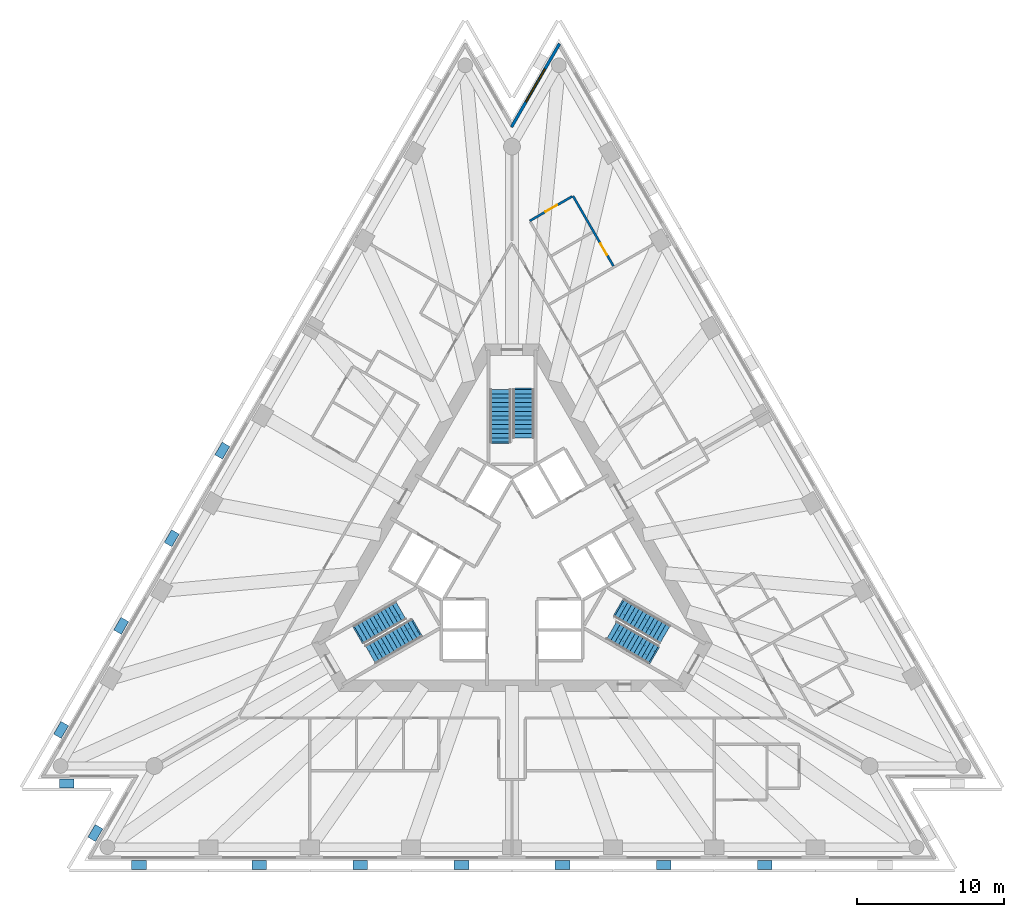
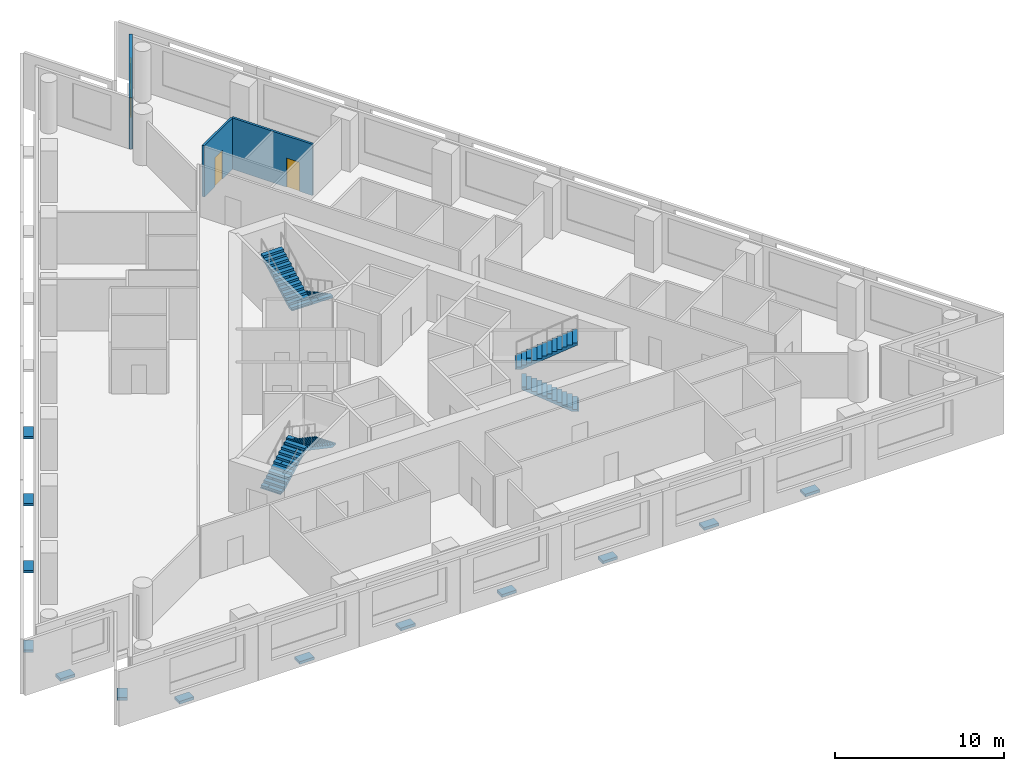
# One storey, part 7 of 10: 13 discrete accessories, 6 stair flights, 3 walls, 2 doors, 1 window, 3 openings, 3 elements without a shape of their own.
"""IFC4 building model written with IfcOpenShell, lengths in metres."""

from ifc_helpers import new_model, si_unit, direction, frame, frame_2d, origin, origin_2d, place, context, subcontext, project, spatial, polyline, rectangle, outline, extrude, material, layer, layer_set, layer_usage, type_object, element, fill, aggregate, save


model = new_model("IFC4")

# Units and contexts
model_context = context("Model", 3, precision=1e-05, world=origin(), true_north=direction((0.0, 1.0)))
body_context = subcontext(model_context, "Body", "Model", "MODEL_VIEW")
ifc_project = project(units=[si_unit("LENGTHUNIT", "METRE"), si_unit("AREAUNIT", "SQUARE_METRE"), si_unit("VOLUMEUNIT", "CUBIC_METRE"), si_unit("PLANEANGLEUNIT", "RADIAN"), si_unit("MASSUNIT", "GRAM", prefix="KILO")], contexts=[model_context])

# Site, building, storey
site_placement = place(None, origin())
site = spatial("IfcSite", under=ifc_project, at=site_placement, CompositionType="ELEMENT")
building_placement = place(site_placement, origin())
building = spatial("IfcBuilding", under=site, at=building_placement, Name="Triada Interchange Tower", CompositionType="ELEMENT")
storey_placement = place(building_placement, frame((0.0, 0.0, 120.300048828125)))
storey = spatial("IfcBuildingStorey", under=building, at=storey_placement, Name="L27", CompositionType="ELEMENT", Elevation=120.300048828125)

# Wall, opening, window
ifc_material_1 = material(Name="Cement board")
ifc_layer_1 = layer(ifc_material_1, 0.02001953125, Name="Cement board cladding")
ifc_material_2 = material(Name="Sheathing board")
ifc_layer_2 = layer(ifc_material_2, 0.014892578125, Name="Sheathing board")
ifc_material_3 = material(Name="Mineral wool")
ifc_layer_3 = layer(ifc_material_3, 0.14990234375, Name="Mineral wool between steel studs")
ifc_material_4 = material(Name="Gypsum board")
ifc_layer_4 = layer(ifc_material_4, 0.014892578125, Name="Plasterboard lining")
ifc_layer_set_1 = layer_set([ifc_layer_1, ifc_layer_2, ifc_layer_3, ifc_layer_4], Name="External wall 200")
ifc_layer_usage = layer_usage(ifc_layer_set_1, "AXIS2", "POSITIVE", -0.10009765625)
wall_type_1 = type_object("IfcWallType", Name="External wall 200", PredefinedType="ELEMENTEDWALL", material=ifc_layer_set_1)
wall_1_placement = place(storey_placement, frame((3.243896484375, 35.18505859375, 0.0), z_axis=(0.0, 0.0, 1.0), x_axis=(-0.499862072928, -0.866105021373, 0.0)))
wall_1 = element("IfcWall", 1, at=wall_1_placement, inside=storey, type_object=wall_type_1, material=ifc_layer_usage, Name="External wall L27 N-1", PredefinedType="ELEMENTEDWALL", context=body_context, shape_type="SweptSolid", body=[
    extrude(rectangle(XDim=6.559326171875, YDim=0.199951171875, at=frame_2d((3.27978515625, 0.0))), origin(), (0.0, 0.0, 1.0), 3.699951171875),
])
opening_1_placement = place(wall_1_placement, frame((1.989990234375, 0.0, 0.89990234375)))
opening_1 = element("IfcOpeningElement", 2, at=opening_1_placement, cuts=wall_1, Name="Opening WB29", PredefinedType="OPENING", context=body_context, shape_type="SweptSolid", body=[
    extrude(rectangle(XDim=2.60009765625, YDim=2.5, at=frame_2d((1.300048828125, 1.25))), frame((0.0, 0.10986328125, 0.0), z_axis=(0.0, -1.0, 0.0), x_axis=(1.0, 0.0, 0.0)), (0.0, 0.0, 1.0), 0.219970703125),
])
ifc_material_5 = material(Name="Double glazed aluminium window", Category="aluminium")
window_type = type_object("IfcWindowType", Name="Ribbon window B pocket", PartitioningType="SINGLE_PANEL", PredefinedType="WINDOW", material=ifc_material_5)
window_placement = place(opening_1_placement, origin())
window = element("IfcWindow", 3, at=window_placement, inside=storey, type_object=window_type, Name="Window L27 N-1 1", OverallHeight=2.5, OverallWidth=2.60009765625, PartitioningType="SINGLE_PANEL", PredefinedType="WINDOW", context=body_context, shape_type="SweptSolid", body=[
    extrude(rectangle(XDim=2.60009765625, YDim=2.5, at=frame_2d((1.300048828125, 1.25))), frame((0.0, 0.030029296875, 0.0), z_axis=(0.0, -1.0, 0.0), x_axis=(1.0, 0.0, 0.0)), (0.0, 0.0, 1.0), 0.06005859375),
])
fill(opening_1, window)

# Wall, opening, door
ifc_material_6 = material(Name="Gypsum board partition")
ifc_layer_5 = layer(ifc_material_6, 0.14990234375)
ifc_layer_set_2 = layer_set([ifc_layer_5], Name="PARTITION 150 EI 90")
wall_type_2 = type_object("IfcWallType", Name="PARTITION 150 EI 90", PredefinedType="PARTITIONING", material=ifc_layer_set_2)
wall_2_placement = place(storey_placement, frame((4.157958984375, 24.798095703125, 0.0), z_axis=(0.0, 0.0, 1.0), x_axis=(0.5000309746, -0.866007519852, 0.0)))
wall_2 = element("IfcWall", 4, at=wall_2_placement, inside=storey, type_object=wall_type_2, Name="Wall L26 47", PredefinedType="PARTITIONING", context=body_context, shape_type="SweptSolid", body=[
    extrude(rectangle(XDim=5.525634765625, YDim=0.14990234375, at=frame_2d((2.7626953125, 0.0))), origin(), (0.0, 0.0, 1.0), 3.699951171875),
])
opening_2_placement = place(wall_2_placement, frame((3.75, 0.0, 0.0)))
opening_2 = element("IfcOpeningElement", 5, at=opening_2_placement, cuts=wall_2, Name="Opening D26-32", PredefinedType="OPENING", context=body_context, shape_type="SweptSolid", body=[
    extrude(rectangle(XDim=0.89990234375, YDim=2.10009765625, at=frame_2d((0.449951171875, 1.050048828125))), frame((0.0, 0.0849609375, 0.0), z_axis=(0.0, -1.0, 0.0), x_axis=(1.0, 0.0, 0.0)), (0.0, 0.0, 1.0), 0.169921875),
])
ifc_material_7 = material(Name="Steel S235 door leaf", Category="steel")
door_type = type_object("IfcDoorType", Name="ROOM DOOR 900 EI2 45-C5S200", OperationType="NOTDEFINED", PredefinedType="DOOR", material=ifc_material_7)
door_1_placement = place(opening_2_placement, origin())
door_1 = element("IfcDoor", 6, at=door_1_placement, inside=storey, type_object=door_type, Name="Door D26-32 L27", OperationType="SINGLE_SWING_LEFT", OverallHeight=2.10009765625, OverallWidth=0.89990234375, PredefinedType="DOOR", context=body_context, shape_type="SweptSolid", body=[
    extrude(rectangle(XDim=0.89990234375, YDim=2.10009765625, at=frame_2d((0.449951171875, 1.050048828125))), frame((0.0, 0.02490234375, 0.0), z_axis=(0.0, -1.0, 0.0), x_axis=(1.0, 0.0, 0.0)), (0.0, 0.0, 1.0), 0.050048828125),
])
fill(opening_2, door_1)

wall_3_placement = place(storey_placement, frame((1.214111328125, 23.097900390625, 0.0), z_axis=(0.0, 0.0, 1.0), x_axis=(0.866029041019, 0.499993700073, 0.0)))
wall_3 = element("IfcWall", 7, at=wall_3_placement, inside=storey, type_object=wall_type_2, Name="Wall L26 48", PredefinedType="PARTITIONING", context=body_context, shape_type="SweptSolid", body=[
    extrude(rectangle(XDim=3.32421875, YDim=0.14990234375, at=frame_2d((1.662109375, 0.0))), origin(), (0.0, 0.0, 1.0), 3.699951171875),
])
opening_3_placement = place(wall_3_placement, frame((1.25, 0.0, 0.0)))
opening_3 = element("IfcOpeningElement", 8, at=opening_3_placement, cuts=wall_3, Name="Opening D26-33", PredefinedType="OPENING", context=body_context, shape_type="SweptSolid", body=[
    extrude(rectangle(XDim=0.89990234375, YDim=2.10009765625, at=frame_2d((0.449951171875, 1.050048828125))), frame((0.0, 0.0849609375, 0.0), z_axis=(0.0, -1.0, 0.0), x_axis=(1.0, 0.0, 0.0)), (0.0, 0.0, 1.0), 0.169921875),
])
door_2_placement = place(opening_3_placement, origin())
door_2 = element("IfcDoor", 9, at=door_2_placement, inside=storey, type_object=door_type, Name="Door D26-33 L27", OperationType="SINGLE_SWING_RIGHT", OverallHeight=2.10009765625, OverallWidth=0.89990234375, PredefinedType="DOOR", context=body_context, shape_type="SweptSolid", body=[
    extrude(rectangle(XDim=0.89990234375, YDim=2.10009765625, at=frame_2d((0.449951171875, 1.050048828125))), frame((0.0, 0.02490234375, 0.0), z_axis=(0.0, -1.0, 0.0), x_axis=(1.0, 0.0, 0.0)), (0.0, 0.0, 1.0), 0.050048828125),
])
fill(opening_3, door_2)

# Stair, stair flights
ifc_material_8 = material(Name="Concrete C35/45", Category="concrete")
stair_type = type_object("IfcStairType", Name="HALF TURN STAIR 1400", PredefinedType="HALF_TURN_STAIR", material=ifc_material_8)
stair_1_placement = place(storey_placement, origin())
stair_1 = element("IfcStair", 10, at=stair_1_placement, inside=storey, type_object=stair_type, Name="Exit stair S26-1", PredefinedType="HALF_TURN_STAIR")
stair_flight_type = type_object("IfcStairFlightType", Name="STRAIGHT STAIR FLIGHT 1400", PredefinedType="STRAIGHT", material=ifc_material_8)
stair_flight_1_placement = place(storey_placement, frame((0.800048828125, 11.60009765625, 0.0), z_axis=(0.0, 0.0, 1.0), x_axis=(0.0, -1.0, 0.0)))
stair_flight_1 = element("IfcStairFlight", 11, at=stair_flight_1_placement, type_object=stair_flight_type, Name="S26-1 flight 1", NumberOfRisers=12, NumberOfTreads=11, PredefinedType="STRAIGHT", RiserHeight=0.16, TreadLength=0.3, context=body_context, shape_type="SweptSolid", body=[
    extrude(outline(polyline([(-0.10009765625, 0.0), (-0.10009765625, 0.02001953125), (0.0, 0.02001953125), (0.0, 0.159912109375), (0.300048828125, 0.159912109375), (0.300048828125, 0.320068359375), (0.60009765625, 0.320068359375), (0.60009765625, 0.47998046875), (0.89990234375, 0.47998046875), (0.89990234375, 0.639892578125), (1.199951171875, 0.639892578125), (1.199951171875, 0.800048828125), (1.5, 0.800048828125), (1.5, 0.9599609375), (1.800048828125, 0.9599609375), (1.800048828125, 1.1201171875), (2.10009765625, 1.1201171875), (2.10009765625, 1.280029296875), (2.39990234375, 1.280029296875), (2.39990234375, 1.43994140625), (2.699951171875, 1.43994140625), (2.699951171875, 1.60009765625), (3.0, 1.60009765625), (3.0, 1.760009765625), (3.300048828125, 1.760009765625), (3.303955078125, 1.760009765625), (3.303955078125, 1.919921875), (3.303955078125, 1.590087890625), (0.318603515625, 0.0), (-0.10009765625, 0.0)])), frame((0.0, 0.699951171875, 0.0), z_axis=(0.0, -1.0, 0.0), x_axis=(1.0, 0.0, 0.0)), (0.0, 0.0, 1.0), 0.46533203125),
    extrude(outline(polyline([(-0.10009765625, 0.0), (-0.10009765625, 0.02001953125), (0.0, 0.02001953125), (0.0, 0.159912109375), (0.300048828125, 0.159912109375), (0.300048828125, 0.320068359375), (0.60009765625, 0.320068359375), (0.60009765625, 0.47998046875), (0.89990234375, 0.47998046875), (0.89990234375, 0.639892578125), (1.199951171875, 0.639892578125), (1.199951171875, 0.800048828125), (1.5, 0.800048828125), (1.5, 0.9599609375), (1.800048828125, 0.9599609375), (1.800048828125, 1.1201171875), (2.10009765625, 1.1201171875), (2.10009765625, 1.280029296875), (2.39990234375, 1.280029296875), (2.39990234375, 1.43994140625), (2.699951171875, 1.43994140625), (2.699951171875, 1.60009765625), (3.0, 1.60009765625), (3.0, 1.760009765625), (3.300048828125, 1.760009765625), (3.303955078125, 1.760009765625), (3.303955078125, 1.919921875), (3.303955078125, 1.590087890625), (0.318603515625, 0.0), (-0.10009765625, 0.0)])), frame((0.0, 0.232666015625, 0.0), z_axis=(0.0, -1.0, 0.0), x_axis=(1.0, 0.0, 0.0)), (0.0, 0.0, 1.0), 0.46533203125),
    extrude(outline(polyline([(-0.10009765625, 0.0), (-0.10009765625, 0.02001953125), (0.0, 0.02001953125), (0.0, 0.159912109375), (0.300048828125, 0.159912109375), (0.300048828125, 0.320068359375), (0.60009765625, 0.320068359375), (0.60009765625, 0.47998046875), (0.89990234375, 0.47998046875), (0.89990234375, 0.639892578125), (1.199951171875, 0.639892578125), (1.199951171875, 0.800048828125), (1.5, 0.800048828125), (1.5, 0.9599609375), (1.800048828125, 0.9599609375), (1.800048828125, 1.1201171875), (2.10009765625, 1.1201171875), (2.10009765625, 1.280029296875), (2.39990234375, 1.280029296875), (2.39990234375, 1.43994140625), (2.699951171875, 1.43994140625), (2.699951171875, 1.60009765625), (3.0, 1.60009765625), (3.0, 1.760009765625), (3.300048828125, 1.760009765625), (3.303955078125, 1.760009765625), (3.303955078125, 1.919921875), (3.303955078125, 1.590087890625), (0.318603515625, 0.0), (-0.10009765625, 0.0)])), frame((0.0, -0.234619140625, 0.0), z_axis=(0.0, -1.0, 0.0), x_axis=(1.0, 0.0, 0.0)), (0.0, 0.0, 1.0), 0.46533203125),
])
stair_flight_2_placement = place(storey_placement, frame((-0.800048828125, 8.0, 1.919921875), z_axis=(0.0, 0.0, 1.0), x_axis=(0.0, 1.0, 0.0)))
stair_flight_2 = element("IfcStairFlight", 12, at=stair_flight_2_placement, type_object=stair_flight_type, Name="S26-1 flight 2", NumberOfRisers=13, NumberOfTreads=12, PredefinedType="STRAIGHT", RiserHeight=0.16, TreadLength=0.3, context=body_context, shape_type="SweptSolid", body=[
    extrude(outline(polyline([(-0.10009765625, 0.0), (-0.10009765625, 0.02001953125), (0.0, 0.02001953125), (0.0, 0.159912109375), (0.300048828125, 0.159912109375), (0.300048828125, 0.320068359375), (0.60009765625, 0.320068359375), (0.60009765625, 0.47998046875), (0.89990234375, 0.47998046875), (0.89990234375, 0.639892578125), (1.199951171875, 0.639892578125), (1.199951171875, 0.800048828125), (1.5, 0.800048828125), (1.5, 0.9599609375), (1.800048828125, 0.9599609375), (1.800048828125, 1.1201171875), (2.10009765625, 1.1201171875), (2.10009765625, 1.280029296875), (2.39990234375, 1.280029296875), (2.39990234375, 1.43994140625), (2.699951171875, 1.43994140625), (2.699951171875, 1.60009765625), (3.0, 1.60009765625), (3.0, 1.760009765625), (3.300048828125, 1.760009765625), (3.300048828125, 1.919921875), (3.60009765625, 1.919921875), (3.60400390625, 1.919921875), (3.60400390625, 2.080078125), (3.60400390625, 1.75), (0.318603515625, 0.0), (-0.10009765625, 0.0)])), frame((0.0, 0.699951171875, 0.0), z_axis=(0.0, -1.0, 0.0), x_axis=(1.0, 0.0, 0.0)), (0.0, 0.0, 1.0), 0.46533203125),
    extrude(outline(polyline([(-0.10009765625, 0.0), (-0.10009765625, 0.02001953125), (0.0, 0.02001953125), (0.0, 0.159912109375), (0.300048828125, 0.159912109375), (0.300048828125, 0.320068359375), (0.60009765625, 0.320068359375), (0.60009765625, 0.47998046875), (0.89990234375, 0.47998046875), (0.89990234375, 0.639892578125), (1.199951171875, 0.639892578125), (1.199951171875, 0.800048828125), (1.5, 0.800048828125), (1.5, 0.9599609375), (1.800048828125, 0.9599609375), (1.800048828125, 1.1201171875), (2.10009765625, 1.1201171875), (2.10009765625, 1.280029296875), (2.39990234375, 1.280029296875), (2.39990234375, 1.43994140625), (2.699951171875, 1.43994140625), (2.699951171875, 1.60009765625), (3.0, 1.60009765625), (3.0, 1.760009765625), (3.300048828125, 1.760009765625), (3.300048828125, 1.919921875), (3.60009765625, 1.919921875), (3.60400390625, 1.919921875), (3.60400390625, 2.080078125), (3.60400390625, 1.75), (0.318603515625, 0.0), (-0.10009765625, 0.0)])), frame((0.0, 0.232666015625, 0.0), z_axis=(0.0, -1.0, 0.0), x_axis=(1.0, 0.0, 0.0)), (0.0, 0.0, 1.0), 0.46533203125),
    extrude(outline(polyline([(-0.10009765625, 0.0), (-0.10009765625, 0.02001953125), (0.0, 0.02001953125), (0.0, 0.159912109375), (0.300048828125, 0.159912109375), (0.300048828125, 0.320068359375), (0.60009765625, 0.320068359375), (0.60009765625, 0.47998046875), (0.89990234375, 0.47998046875), (0.89990234375, 0.639892578125), (1.199951171875, 0.639892578125), (1.199951171875, 0.800048828125), (1.5, 0.800048828125), (1.5, 0.9599609375), (1.800048828125, 0.9599609375), (1.800048828125, 1.1201171875), (2.10009765625, 1.1201171875), (2.10009765625, 1.280029296875), (2.39990234375, 1.280029296875), (2.39990234375, 1.43994140625), (2.699951171875, 1.43994140625), (2.699951171875, 1.60009765625), (3.0, 1.60009765625), (3.0, 1.760009765625), (3.300048828125, 1.760009765625), (3.300048828125, 1.919921875), (3.60009765625, 1.919921875), (3.60400390625, 1.919921875), (3.60400390625, 2.080078125), (3.60400390625, 1.75), (0.318603515625, 0.0), (-0.10009765625, 0.0)])), frame((0.0, -0.234619140625, 0.0), z_axis=(0.0, -1.0, 0.0), x_axis=(1.0, 0.0, 0.0)), (0.0, 0.0, 1.0), 0.46533203125),
])
aggregate(stair_1, [stair_flight_1, stair_flight_2])

stair_2_placement = place(storey_placement, origin())
stair_2 = element("IfcStair", 13, at=stair_2_placement, inside=storey, type_object=stair_type, Name="Exit stair S26-2", PredefinedType="HALF_TURN_STAIR")
stair_flight_3_placement = place(storey_placement, frame((-10.446044921875, -5.10693359375, 0.0), z_axis=(0.0, 0.0, 1.0), x_axis=(0.866025403784, 0.5, 0.0)))
stair_flight_3 = element("IfcStairFlight", 14, at=stair_flight_3_placement, type_object=stair_flight_type, Name="S26-2 flight 1", NumberOfRisers=12, NumberOfTreads=11, PredefinedType="STRAIGHT", RiserHeight=0.16, TreadLength=0.3, context=body_context, shape_type="SweptSolid", body=[
    extrude(outline(polyline([(-0.10009765625, 0.0), (-0.10009765625, 0.02001953125), (0.0, 0.02001953125), (0.0, 0.159912109375), (0.300048828125, 0.159912109375), (0.300048828125, 0.320068359375), (0.60009765625, 0.320068359375), (0.60009765625, 0.47998046875), (0.89990234375, 0.47998046875), (0.89990234375, 0.639892578125), (1.199951171875, 0.639892578125), (1.199951171875, 0.800048828125), (1.5, 0.800048828125), (1.5, 0.9599609375), (1.800048828125, 0.9599609375), (1.800048828125, 1.1201171875), (2.10009765625, 1.1201171875), (2.10009765625, 1.280029296875), (2.39990234375, 1.280029296875), (2.39990234375, 1.43994140625), (2.699951171875, 1.43994140625), (2.699951171875, 1.60009765625), (3.0, 1.60009765625), (3.0, 1.760009765625), (3.300048828125, 1.760009765625), (3.303955078125, 1.760009765625), (3.303955078125, 1.919921875), (3.303955078125, 1.590087890625), (0.318603515625, 0.0), (-0.10009765625, 0.0)])), frame((0.0, 0.699951171875, 0.0), z_axis=(0.0, -1.0, 0.0), x_axis=(1.0, 0.0, 0.0)), (0.0, 0.0, 1.0), 0.46533203125),
    extrude(outline(polyline([(-0.10009765625, 0.0), (-0.10009765625, 0.02001953125), (0.0, 0.02001953125), (0.0, 0.159912109375), (0.300048828125, 0.159912109375), (0.300048828125, 0.320068359375), (0.60009765625, 0.320068359375), (0.60009765625, 0.47998046875), (0.89990234375, 0.47998046875), (0.89990234375, 0.639892578125), (1.199951171875, 0.639892578125), (1.199951171875, 0.800048828125), (1.5, 0.800048828125), (1.5, 0.9599609375), (1.800048828125, 0.9599609375), (1.800048828125, 1.1201171875), (2.10009765625, 1.1201171875), (2.10009765625, 1.280029296875), (2.39990234375, 1.280029296875), (2.39990234375, 1.43994140625), (2.699951171875, 1.43994140625), (2.699951171875, 1.60009765625), (3.0, 1.60009765625), (3.0, 1.760009765625), (3.300048828125, 1.760009765625), (3.303955078125, 1.760009765625), (3.303955078125, 1.919921875), (3.303955078125, 1.590087890625), (0.318603515625, 0.0), (-0.10009765625, 0.0)])), frame((0.0, 0.232666015625, 0.0), z_axis=(0.0, -1.0, 0.0), x_axis=(1.0, 0.0, 0.0)), (0.0, 0.0, 1.0), 0.46533203125),
    extrude(outline(polyline([(-0.10009765625, 0.0), (-0.10009765625, 0.02001953125), (0.0, 0.02001953125), (0.0, 0.159912109375), (0.300048828125, 0.159912109375), (0.300048828125, 0.320068359375), (0.60009765625, 0.320068359375), (0.60009765625, 0.47998046875), (0.89990234375, 0.47998046875), (0.89990234375, 0.639892578125), (1.199951171875, 0.639892578125), (1.199951171875, 0.800048828125), (1.5, 0.800048828125), (1.5, 0.9599609375), (1.800048828125, 0.9599609375), (1.800048828125, 1.1201171875), (2.10009765625, 1.1201171875), (2.10009765625, 1.280029296875), (2.39990234375, 1.280029296875), (2.39990234375, 1.43994140625), (2.699951171875, 1.43994140625), (2.699951171875, 1.60009765625), (3.0, 1.60009765625), (3.0, 1.760009765625), (3.300048828125, 1.760009765625), (3.303955078125, 1.760009765625), (3.303955078125, 1.919921875), (3.303955078125, 1.590087890625), (0.318603515625, 0.0), (-0.10009765625, 0.0)])), frame((0.0, -0.234619140625, 0.0), z_axis=(0.0, -1.0, 0.0), x_axis=(1.0, 0.0, 0.0)), (0.0, 0.0, 1.0), 0.46533203125),
])
stair_flight_4_placement = place(storey_placement, frame((-6.528076171875, -4.693115234375, 1.919921875), z_axis=(0.0, 0.0, 1.0), x_axis=(-0.866025403784, -0.5, 0.0)))
stair_flight_4 = element("IfcStairFlight", 15, at=stair_flight_4_placement, type_object=stair_flight_type, Name="S26-2 flight 2", NumberOfRisers=13, NumberOfTreads=12, PredefinedType="STRAIGHT", RiserHeight=0.16, TreadLength=0.3, context=body_context, shape_type="SweptSolid", body=[
    extrude(outline(polyline([(-0.10009765625, 0.0), (-0.10009765625, 0.02001953125), (0.0, 0.02001953125), (0.0, 0.159912109375), (0.300048828125, 0.159912109375), (0.300048828125, 0.320068359375), (0.60009765625, 0.320068359375), (0.60009765625, 0.47998046875), (0.89990234375, 0.47998046875), (0.89990234375, 0.639892578125), (1.199951171875, 0.639892578125), (1.199951171875, 0.800048828125), (1.5, 0.800048828125), (1.5, 0.9599609375), (1.800048828125, 0.9599609375), (1.800048828125, 1.1201171875), (2.10009765625, 1.1201171875), (2.10009765625, 1.280029296875), (2.39990234375, 1.280029296875), (2.39990234375, 1.43994140625), (2.699951171875, 1.43994140625), (2.699951171875, 1.60009765625), (3.0, 1.60009765625), (3.0, 1.760009765625), (3.300048828125, 1.760009765625), (3.300048828125, 1.919921875), (3.60009765625, 1.919921875), (3.60400390625, 1.919921875), (3.60400390625, 2.080078125), (3.60400390625, 1.75), (0.318603515625, 0.0), (-0.10009765625, 0.0)])), frame((0.0, 0.699951171875, 0.0), z_axis=(0.0, -1.0, 0.0), x_axis=(1.0, 0.0, 0.0)), (0.0, 0.0, 1.0), 0.46533203125),
    extrude(outline(polyline([(-0.10009765625, 0.0), (-0.10009765625, 0.02001953125), (0.0, 0.02001953125), (0.0, 0.159912109375), (0.300048828125, 0.159912109375), (0.300048828125, 0.320068359375), (0.60009765625, 0.320068359375), (0.60009765625, 0.47998046875), (0.89990234375, 0.47998046875), (0.89990234375, 0.639892578125), (1.199951171875, 0.639892578125), (1.199951171875, 0.800048828125), (1.5, 0.800048828125), (1.5, 0.9599609375), (1.800048828125, 0.9599609375), (1.800048828125, 1.1201171875), (2.10009765625, 1.1201171875), (2.10009765625, 1.280029296875), (2.39990234375, 1.280029296875), (2.39990234375, 1.43994140625), (2.699951171875, 1.43994140625), (2.699951171875, 1.60009765625), (3.0, 1.60009765625), (3.0, 1.760009765625), (3.300048828125, 1.760009765625), (3.300048828125, 1.919921875), (3.60009765625, 1.919921875), (3.60400390625, 1.919921875), (3.60400390625, 2.080078125), (3.60400390625, 1.75), (0.318603515625, 0.0), (-0.10009765625, 0.0)])), frame((0.0, 0.232666015625, 0.0), z_axis=(0.0, -1.0, 0.0), x_axis=(1.0, 0.0, 0.0)), (0.0, 0.0, 1.0), 0.46533203125),
    extrude(outline(polyline([(-0.10009765625, 0.0), (-0.10009765625, 0.02001953125), (0.0, 0.02001953125), (0.0, 0.159912109375), (0.300048828125, 0.159912109375), (0.300048828125, 0.320068359375), (0.60009765625, 0.320068359375), (0.60009765625, 0.47998046875), (0.89990234375, 0.47998046875), (0.89990234375, 0.639892578125), (1.199951171875, 0.639892578125), (1.199951171875, 0.800048828125), (1.5, 0.800048828125), (1.5, 0.9599609375), (1.800048828125, 0.9599609375), (1.800048828125, 1.1201171875), (2.10009765625, 1.1201171875), (2.10009765625, 1.280029296875), (2.39990234375, 1.280029296875), (2.39990234375, 1.43994140625), (2.699951171875, 1.43994140625), (2.699951171875, 1.60009765625), (3.0, 1.60009765625), (3.0, 1.760009765625), (3.300048828125, 1.760009765625), (3.300048828125, 1.919921875), (3.60009765625, 1.919921875), (3.60400390625, 1.919921875), (3.60400390625, 2.080078125), (3.60400390625, 1.75), (0.318603515625, 0.0), (-0.10009765625, 0.0)])), frame((0.0, -0.234619140625, 0.0), z_axis=(0.0, -1.0, 0.0), x_axis=(1.0, 0.0, 0.0)), (0.0, 0.0, 1.0), 0.46533203125),
])
aggregate(stair_2, [stair_flight_3, stair_flight_4])

stair_3_placement = place(storey_placement, origin())
stair_3 = element("IfcStair", 16, at=stair_3_placement, inside=storey, type_object=stair_type, Name="Exit stair S26-3", PredefinedType="HALF_TURN_STAIR")
stair_flight_5_placement = place(storey_placement, frame((9.64599609375, -6.492919921875, 0.0), z_axis=(0.0, 0.0, 1.0), x_axis=(-0.866025403784, 0.5, 0.0)))
stair_flight_5 = element("IfcStairFlight", 17, at=stair_flight_5_placement, type_object=stair_flight_type, Name="S26-3 flight 1", NumberOfRisers=12, NumberOfTreads=11, PredefinedType="STRAIGHT", RiserHeight=0.16, TreadLength=0.3, context=body_context, shape_type="SweptSolid", body=[
    extrude(outline(polyline([(-0.10009765625, 0.0), (-0.10009765625, 0.02001953125), (0.0, 0.02001953125), (0.0, 0.159912109375), (0.300048828125, 0.159912109375), (0.300048828125, 0.320068359375), (0.60009765625, 0.320068359375), (0.60009765625, 0.47998046875), (0.89990234375, 0.47998046875), (0.89990234375, 0.639892578125), (1.199951171875, 0.639892578125), (1.199951171875, 0.800048828125), (1.5, 0.800048828125), (1.5, 0.9599609375), (1.800048828125, 0.9599609375), (1.800048828125, 1.1201171875), (2.10009765625, 1.1201171875), (2.10009765625, 1.280029296875), (2.39990234375, 1.280029296875), (2.39990234375, 1.43994140625), (2.699951171875, 1.43994140625), (2.699951171875, 1.60009765625), (3.0, 1.60009765625), (3.0, 1.760009765625), (3.300048828125, 1.760009765625), (3.303955078125, 1.760009765625), (3.303955078125, 1.919921875), (3.303955078125, 1.590087890625), (0.318603515625, 0.0), (-0.10009765625, 0.0)])), frame((0.0, 0.699951171875, 0.0), z_axis=(0.0, -1.0, 0.0), x_axis=(1.0, 0.0, 0.0)), (0.0, 0.0, 1.0), 0.46533203125),
    extrude(outline(polyline([(-0.10009765625, 0.0), (-0.10009765625, 0.02001953125), (0.0, 0.02001953125), (0.0, 0.159912109375), (0.300048828125, 0.159912109375), (0.300048828125, 0.320068359375), (0.60009765625, 0.320068359375), (0.60009765625, 0.47998046875), (0.89990234375, 0.47998046875), (0.89990234375, 0.639892578125), (1.199951171875, 0.639892578125), (1.199951171875, 0.800048828125), (1.5, 0.800048828125), (1.5, 0.9599609375), (1.800048828125, 0.9599609375), (1.800048828125, 1.1201171875), (2.10009765625, 1.1201171875), (2.10009765625, 1.280029296875), (2.39990234375, 1.280029296875), (2.39990234375, 1.43994140625), (2.699951171875, 1.43994140625), (2.699951171875, 1.60009765625), (3.0, 1.60009765625), (3.0, 1.760009765625), (3.300048828125, 1.760009765625), (3.303955078125, 1.760009765625), (3.303955078125, 1.919921875), (3.303955078125, 1.590087890625), (0.318603515625, 0.0), (-0.10009765625, 0.0)])), frame((0.0, 0.232666015625, 0.0), z_axis=(0.0, -1.0, 0.0), x_axis=(1.0, 0.0, 0.0)), (0.0, 0.0, 1.0), 0.46533203125),
    extrude(outline(polyline([(-0.10009765625, 0.0), (-0.10009765625, 0.02001953125), (0.0, 0.02001953125), (0.0, 0.159912109375), (0.300048828125, 0.159912109375), (0.300048828125, 0.320068359375), (0.60009765625, 0.320068359375), (0.60009765625, 0.47998046875), (0.89990234375, 0.47998046875), (0.89990234375, 0.639892578125), (1.199951171875, 0.639892578125), (1.199951171875, 0.800048828125), (1.5, 0.800048828125), (1.5, 0.9599609375), (1.800048828125, 0.9599609375), (1.800048828125, 1.1201171875), (2.10009765625, 1.1201171875), (2.10009765625, 1.280029296875), (2.39990234375, 1.280029296875), (2.39990234375, 1.43994140625), (2.699951171875, 1.43994140625), (2.699951171875, 1.60009765625), (3.0, 1.60009765625), (3.0, 1.760009765625), (3.300048828125, 1.760009765625), (3.303955078125, 1.760009765625), (3.303955078125, 1.919921875), (3.303955078125, 1.590087890625), (0.318603515625, 0.0), (-0.10009765625, 0.0)])), frame((0.0, -0.234619140625, 0.0), z_axis=(0.0, -1.0, 0.0), x_axis=(1.0, 0.0, 0.0)), (0.0, 0.0, 1.0), 0.46533203125),
])
stair_flight_6_placement = place(storey_placement, frame((7.327880859375, -3.306884765625, 1.919921875), z_axis=(0.0, 0.0, 1.0), x_axis=(0.866025403784, -0.5, 0.0)))
stair_flight_6 = element("IfcStairFlight", 18, at=stair_flight_6_placement, type_object=stair_flight_type, Name="S26-3 flight 2", NumberOfRisers=13, NumberOfTreads=12, PredefinedType="STRAIGHT", RiserHeight=0.16, TreadLength=0.3, context=body_context, shape_type="SweptSolid", body=[
    extrude(outline(polyline([(-0.10009765625, 0.0), (-0.10009765625, 0.02001953125), (0.0, 0.02001953125), (0.0, 0.159912109375), (0.300048828125, 0.159912109375), (0.300048828125, 0.320068359375), (0.60009765625, 0.320068359375), (0.60009765625, 0.47998046875), (0.89990234375, 0.47998046875), (0.89990234375, 0.639892578125), (1.199951171875, 0.639892578125), (1.199951171875, 0.800048828125), (1.5, 0.800048828125), (1.5, 0.9599609375), (1.800048828125, 0.9599609375), (1.800048828125, 1.1201171875), (2.10009765625, 1.1201171875), (2.10009765625, 1.280029296875), (2.39990234375, 1.280029296875), (2.39990234375, 1.43994140625), (2.699951171875, 1.43994140625), (2.699951171875, 1.60009765625), (3.0, 1.60009765625), (3.0, 1.760009765625), (3.300048828125, 1.760009765625), (3.300048828125, 1.919921875), (3.60009765625, 1.919921875), (3.60400390625, 1.919921875), (3.60400390625, 2.080078125), (3.60400390625, 1.75), (0.318603515625, 0.0), (-0.10009765625, 0.0)])), frame((0.0, 0.699951171875, 0.0), z_axis=(0.0, -1.0, 0.0), x_axis=(1.0, 0.0, 0.0)), (0.0, 0.0, 1.0), 0.46533203125),
    extrude(outline(polyline([(-0.10009765625, 0.0), (-0.10009765625, 0.02001953125), (0.0, 0.02001953125), (0.0, 0.159912109375), (0.300048828125, 0.159912109375), (0.300048828125, 0.320068359375), (0.60009765625, 0.320068359375), (0.60009765625, 0.47998046875), (0.89990234375, 0.47998046875), (0.89990234375, 0.639892578125), (1.199951171875, 0.639892578125), (1.199951171875, 0.800048828125), (1.5, 0.800048828125), (1.5, 0.9599609375), (1.800048828125, 0.9599609375), (1.800048828125, 1.1201171875), (2.10009765625, 1.1201171875), (2.10009765625, 1.280029296875), (2.39990234375, 1.280029296875), (2.39990234375, 1.43994140625), (2.699951171875, 1.43994140625), (2.699951171875, 1.60009765625), (3.0, 1.60009765625), (3.0, 1.760009765625), (3.300048828125, 1.760009765625), (3.300048828125, 1.919921875), (3.60009765625, 1.919921875), (3.60400390625, 1.919921875), (3.60400390625, 2.080078125), (3.60400390625, 1.75), (0.318603515625, 0.0), (-0.10009765625, 0.0)])), frame((0.0, 0.232666015625, 0.0), z_axis=(0.0, -1.0, 0.0), x_axis=(1.0, 0.0, 0.0)), (0.0, 0.0, 1.0), 0.46533203125),
    extrude(outline(polyline([(-0.10009765625, 0.0), (-0.10009765625, 0.02001953125), (0.0, 0.02001953125), (0.0, 0.159912109375), (0.300048828125, 0.159912109375), (0.300048828125, 0.320068359375), (0.60009765625, 0.320068359375), (0.60009765625, 0.47998046875), (0.89990234375, 0.47998046875), (0.89990234375, 0.639892578125), (1.199951171875, 0.639892578125), (1.199951171875, 0.800048828125), (1.5, 0.800048828125), (1.5, 0.9599609375), (1.800048828125, 0.9599609375), (1.800048828125, 1.1201171875), (2.10009765625, 1.1201171875), (2.10009765625, 1.280029296875), (2.39990234375, 1.280029296875), (2.39990234375, 1.43994140625), (2.699951171875, 1.43994140625), (2.699951171875, 1.60009765625), (3.0, 1.60009765625), (3.0, 1.760009765625), (3.300048828125, 1.760009765625), (3.300048828125, 1.919921875), (3.60009765625, 1.919921875), (3.60400390625, 1.919921875), (3.60400390625, 2.080078125), (3.60400390625, 1.75), (0.318603515625, 0.0), (-0.10009765625, 0.0)])), frame((0.0, -0.234619140625, 0.0), z_axis=(0.0, -1.0, 0.0), x_axis=(1.0, 0.0, 0.0)), (0.0, 0.0, 1.0), 0.46533203125),
])
aggregate(stair_3, [stair_flight_5, stair_flight_6])

# Discrete accessories
ifc_material_9 = material(Name="Steel S355", Category="steel")
discrete_accessory_type = type_object("IfcDiscreteAccessoryType", Name="Steel bracket outer skin", PredefinedType="BRACKET", material=ifc_material_9)
for number, where, z_axis, x_axis, name in (
    (19, (-19.758056640625, 7.425048828125, -0.27001953125), (0.0, 0.0, 1.0), (-0.866028484274, 0.499994664397, 0.0), "Bracket L27 05"),
    (20, (-23.20703125, 1.450927734375, -0.27001953125), (0.0, 0.0, 1.0), (-0.866028484274, 0.499994664397, 0.0), "Bracket L27 06"),
    (21, (-26.656005859375, -4.52197265625, -0.27001953125), (0.0, 0.0, 1.0), (-0.866028484274, 0.499994664397, 0.0), "Bracket L27 07"),
    (22, (-30.75390625, -11.62109375, -0.27001953125), (0.0, 0.0, 1.0), (-0.866028484274, 0.499994664397, 0.0), "Bracket L27 08"),
    (23, (-30.362060546875, -15.282958984375, -0.27001953125), (0.0, 0.0, 1.0), (0.0, -1.0, 0.0), "Bracket L27 09"),
    (24, (-28.416015625, -18.653076171875, -0.27001953125), (0.0, 0.0, 1.0), (-0.865964345711, 0.500105740775, 0.0), "Bracket L27 10"),
    (25, (-25.44091796875, -20.823974609375, -0.27001953125), (0.0, 0.0, 1.0), (0.0, -1.0, 0.0), "Bracket L27 11"),
    (26, (-17.243896484375, -20.823974609375, -0.27001953125), (0.0, 0.0, 1.0), (0.0, -1.0, 0.0), "Bracket L27 12"),
    (27, (-10.346923828125, -20.823974609375, -0.27001953125), (0.0, 0.0, 1.0), (0.0, -1.0, 0.0), "Bracket L27 13"),
    (28, (-3.448974609375, -20.823974609375, -0.27001953125), (0.0, 0.0, 1.0), (0.0, -1.0, 0.0), "Bracket L27 14"),
    (29, (3.448974609375, -20.823974609375, -0.27001953125), (0.0, 0.0, 1.0), (0.0, -1.0, 0.0), "Bracket L27 15"),
    (30, (10.346923828125, -20.823974609375, -0.27001953125), (0.0, 0.0, 1.0), (0.0, -1.0, 0.0), "Bracket L27 16"),
    (31, (17.243896484375, -20.823974609375, -0.27001953125), (0.0, 0.0, 1.0), (0.0, -1.0, 0.0), "Bracket L27 17"),
):
    element("IfcDiscreteAccessory", number, at=place(storey_placement, frame(where, z_axis=z_axis, x_axis=x_axis)), inside=storey, type_object=discrete_accessory_type, Name=name, PredefinedType="BRACKET", context=body_context, shape_type="SweptSolid", body=[
        extrude(rectangle(XDim=0.60009765625, YDim=1.0, at=origin_2d()), origin(), (0.0, 0.0, 1.0), 0.199951171875),
    ])

save(model, "model.ifc")
